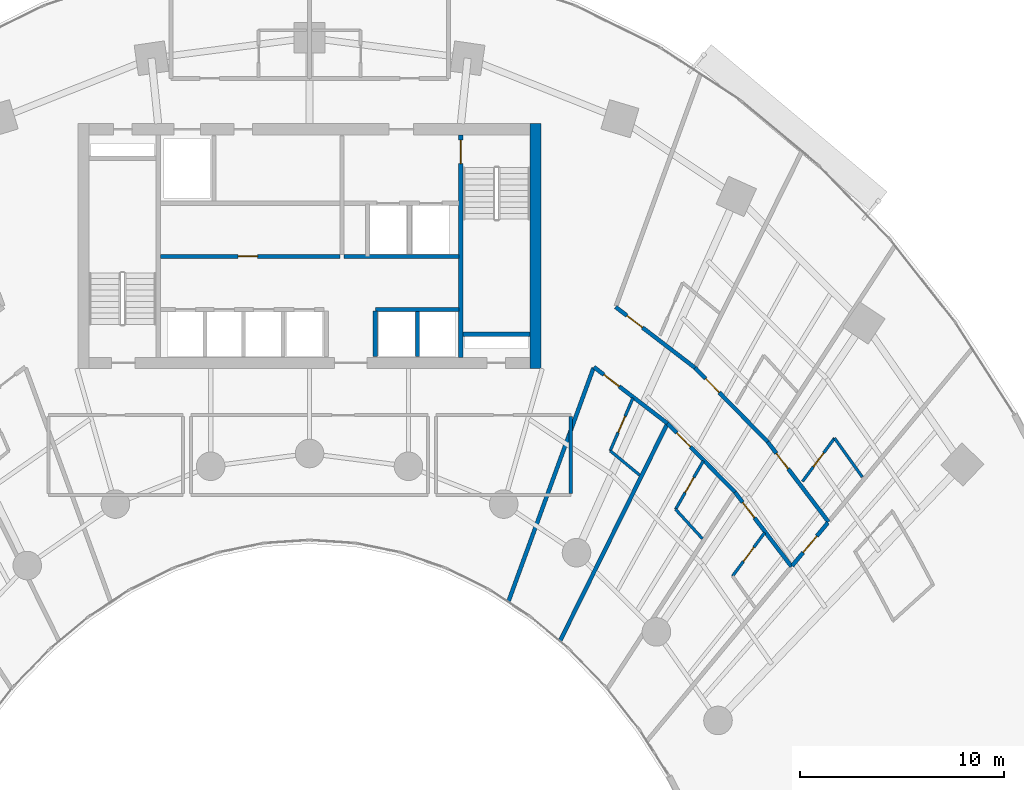
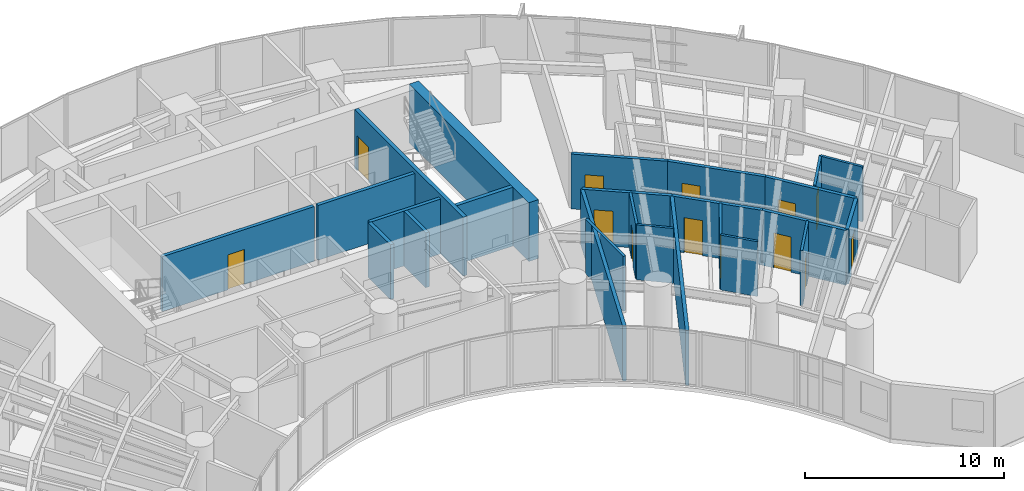
# One storey, part 13 of 18: 25 walls, 13 doors, 13 openings.
"""IFC4 building model written with IfcOpenShell, lengths in metres."""

from ifc_helpers import new_model, si_unit, direction, frame, frame_2d, origin, place, context, subcontext, project, spatial, rectangle, extrude, source, transform, mapped, material, layer, layer_set, type_object, type_shapes, element, fill, save


model = new_model("IFC4")

# Units and contexts
model_context = context("Model", 3, precision=1e-05, world=origin(), true_north=direction((0.0, 1.0)))
body_context = subcontext(model_context, "Body", "Model", "MODEL_VIEW")
ifc_project = project(units=[si_unit("LENGTHUNIT", "METRE"), si_unit("AREAUNIT", "SQUARE_METRE"), si_unit("VOLUMEUNIT", "CUBIC_METRE"), si_unit("PLANEANGLEUNIT", "RADIAN"), si_unit("MASSUNIT", "GRAM", prefix="KILO")], contexts=[model_context])

# Site, building, storey
site_placement = place(None, origin())
site = spatial("IfcSite", under=ifc_project, at=site_placement, CompositionType="ELEMENT")
building_placement = place(site_placement, origin())
building = spatial("IfcBuilding", under=site, at=building_placement, Name="Breltana Convention Tower", CompositionType="ELEMENT")
storey_placement = place(building_placement, frame((0.0, 0.0, 35.39990234375)))
storey = spatial("IfcBuildingStorey", under=building, at=storey_placement, Name="L06", CompositionType="ELEMENT", Elevation=35.39990234375)

# Walls
ifc_material_1 = material(Name="Concrete C60/75", Category="concrete")
ifc_layer_1 = layer(ifc_material_1, 0.550048828125, Name="Concrete C60/75")
ifc_layer_set_1 = layer_set([ifc_layer_1], Name="Concrete C60/75")
wall_type_1 = type_object("IfcWallType", Name="SW-CORE-550", PredefinedType="SHEAR", material=ifc_layer_set_1)
shared_shape_1 = source(origin(), body_context, "Body", "SweptSolid", [
    extrude(rectangle(XDim=12.0, YDim=0.550048828125, at=frame_2d((6.0, 0.0))), origin(), (0.0, 0.0, 1.0), 3.60009765625),
])
wall_1_placement = place(storey_placement, frame((59.074951171875, 60.199951171875, 0.0), z_axis=(0.0, 0.0, 1.0), x_axis=(0.0, 1.0, 0.0)))
element("IfcWall", 1, at=wall_1_placement, inside=storey, type_object=wall_type_1, Name="L06 East Core Shear Wall", PredefinedType="SHEAR", context=body_context, shape_type="MappedRepresentation", body=[
    mapped(shared_shape_1, transform((0.0, 0.0, 0.0), scale=1.0)),
])
ifc_material_2 = material(Name="Concrete C50/60", Category="concrete")
ifc_layer_2 = layer(ifc_material_2, 0.39990234375, Name="Concrete C50/60")
ifc_layer_set_2 = layer_set([ifc_layer_2], Name="Concrete C50/60")
wall_type_2 = type_object("IfcWallType", Name="SW-CORE-400", PredefinedType="SHEAR", material=ifc_layer_set_2)
shared_shape_2 = source(origin(), body_context, "Body", "SweptSolid", [
    extrude(rectangle(XDim=3.27001953125, YDim=0.219970703125, at=frame_2d((1.635009765625, 0.0))), origin(), (0.0, 0.0, 1.0), 3.60009765625),
])
wall_2_placement = place(storey_placement, frame((55.530029296875, 61.889892578125, 0.0), z_axis=(0.0, 0.0, 1.0), x_axis=(1.0, 0.0, 0.0)))
element("IfcWall", 2, at=wall_2_placement, inside=storey, type_object=wall_type_2, Name="L06 ST-2 Stairwell South Bearing Wall", PredefinedType="SHEAR", context=body_context, shape_type="MappedRepresentation", body=[
    mapped(shared_shape_2, transform((0.0, 0.0, 0.0), scale=1.0)),
])

# Wall, opening, door
shared_shape_3 = source(origin(), body_context, "Body", "SweptSolid", [
    extrude(rectangle(XDim=10.89990234375, YDim=0.219970703125, at=frame_2d((5.449951171875, 0.0))), origin(), (0.0, 0.0, 1.0), 3.60009765625),
])
wall_3_placement = place(storey_placement, frame((55.419921875, 60.75, 0.0), z_axis=(0.0, 0.0, 1.0), x_axis=(0.0, 1.0, 0.0)))
wall_3 = element("IfcWall", 3, at=wall_3_placement, inside=storey, type_object=wall_type_2, Name="L06 Core East Stair Spine Wall", PredefinedType="SHEAR", context=body_context, shape_type="MappedRepresentation", body=[
    mapped(shared_shape_3, transform((0.0, 0.0, 0.0), scale=1.0)),
])
opening_1_placement = place(wall_3_placement, frame((9.4951171875, 0.0, 0.0)))
opening_1 = element("IfcOpeningElement", 4, at=opening_1_placement, cuts=wall_3, Name="Opening D-11", PredefinedType="OPENING", context=body_context, shape_type="SweptSolid", body=[
    extrude(rectangle(XDim=1.14990234375, YDim=2.14990234375, at=frame_2d((0.574951171875, 1.074951171875))), frame((0.0, 0.1201171875, 0.0), z_axis=(0.0, -1.0, 0.0), x_axis=(1.0, 0.0, 0.0)), (0.0, 0.0, 1.0), 0.239990234375),
])
ifc_material_3 = material(Name="Steel Stair Exit Door", Category="steel")
door_type_1 = type_object("IfcDoorType", Name="DR-FD120-1150", OperationType="NOTDEFINED", PredefinedType="DOOR", material=ifc_material_3)
shared_shape_4 = source(origin(), body_context, "Body", "SweptSolid", [
    extrude(rectangle(XDim=1.14990234375, YDim=2.14990234375, at=frame_2d((0.574951171875, 1.074951171875))), frame((0.0, 0.02490234375, 0.0), z_axis=(0.0, -1.0, 0.0), x_axis=(1.0, 0.0, 0.0)), (0.0, 0.0, 1.0), 0.050048828125),
])
type_shapes(door_type_1, [shared_shape_4])
door_1_placement = place(opening_1_placement, origin())
door_1 = element("IfcDoor", 5, at=door_1_placement, inside=storey, type_object=door_type_1, Name="L06 interior door D-L06-ST2", OperationType="SINGLE_SWING_LEFT", OverallHeight=2.14990234375, OverallWidth=1.14990234375, PredefinedType="DOOR", context=body_context, shape_type="MappedRepresentation", body=[
    mapped(shared_shape_4, transform((0.0, 0.0, 0.0), scale=1.0)),
])
fill(opening_1, door_1)

# Walls
ifc_material_4 = material(Name="Autoclaved Aerated Concrete Block", Category="concrete")
ifc_layer_3 = layer(ifc_material_4, 0.199951171875, Name="Autoclaved Aerated Concrete Block")
ifc_layer_set_3 = layer_set([ifc_layer_3], Name="Autoclaved Aerated Concrete Block")
wall_type_3 = type_object("IfcWallType", Name="WL-SHAFT-200", PredefinedType="SOLIDWALL", material=ifc_layer_set_3)
shared_shape_5 = source(origin(), body_context, "Body", "SweptSolid", [
    extrude(rectangle(XDim=2.239990234375, YDim=0.199951171875, at=frame_2d((1.1201171875, 0.0))), origin(), (0.0, 0.0, 1.0), 3.360107421875),
])
wall_4_placement = place(storey_placement, frame((51.219970703125, 60.780029296875, 0.0), z_axis=(0.0, 0.0, 1.0), x_axis=(0.0, 1.0, 0.0)))
element("IfcWall", 6, at=wall_4_placement, inside=storey, type_object=wall_type_3, Name="L06 interior partition W-L06-PORT-E", PredefinedType="SOLIDWALL", context=body_context, shape_type="MappedRepresentation", body=[
    mapped(shared_shape_5, transform((0.0, 0.0, 0.0), scale=1.0)),
])
shared_shape_6 = source(origin(), body_context, "Body", "SweptSolid", [
    extrude(rectangle(XDim=5.6201171875, YDim=0.199951171875, at=frame_2d((2.81005859375, 0.0))), origin(), (0.0, 0.0, 1.0), 3.360107421875),
])
wall_5_placement = place(storey_placement, frame((49.699951171875, 65.679931640625, 0.0), z_axis=(0.0, 0.0, 1.0), x_axis=(1.0, 0.0, 0.0)))
element("IfcWall", 7, at=wall_5_placement, inside=storey, type_object=wall_type_3, Name="L06 interior partition W-L06-FL-S", PredefinedType="SOLIDWALL", context=body_context, shape_type="MappedRepresentation", body=[
    mapped(shared_shape_6, transform((0.0, 0.0, 0.0), scale=1.0)),
])

# Wall, opening, door
shared_shape_7 = source(origin(), body_context, "Body", "SweptSolid", [
    extrude(rectangle(XDim=8.800048828125, YDim=0.199951171875, at=frame_2d((4.39990234375, 0.0))), origin(), (0.0, 0.0, 1.0), 3.360107421875),
])
wall_6_placement = place(storey_placement, frame((40.699951171875, 65.699951171875, 0.0), z_axis=(0.0, 0.0, 1.0), x_axis=(1.0, 0.0, 0.0)))
wall_6 = element("IfcWall", 8, at=wall_6_placement, inside=storey, type_object=wall_type_3, Name="L06 interior partition W-L06-SH-M-FRONT", PredefinedType="SOLIDWALL", context=body_context, shape_type="MappedRepresentation", body=[
    mapped(shared_shape_7, transform((0.0, 0.0, 0.0), scale=1.0)),
])
opening_2_placement = place(wall_6_placement, frame((3.800048828125, 0.0, 0.0)))
opening_2 = element("IfcOpeningElement", 9, at=opening_2_placement, cuts=wall_6, Name="Opening D-14", PredefinedType="OPENING", context=body_context, shape_type="SweptSolid", body=[
    extrude(rectangle(XDim=0.949951171875, YDim=2.14990234375, at=frame_2d((0.47509765625, 1.074951171875))), frame((0.0, 0.10986328125, 0.0), z_axis=(0.0, -1.0, 0.0), x_axis=(1.0, 0.0, 0.0)), (0.0, 0.0, 1.0), 0.219970703125),
])
ifc_material_5 = material(Name="Timber Solid-Core Fire Door", Category="wood")
door_type_2 = type_object("IfcDoorType", Name="DR-FD60-950", OperationType="NOTDEFINED", PredefinedType="DOOR", material=ifc_material_5)
shared_shape_8 = source(origin(), body_context, "Body", "SweptSolid", [
    extrude(rectangle(XDim=0.949951171875, YDim=2.14990234375, at=frame_2d((0.47509765625, 1.074951171875))), frame((0.0, 0.02490234375, 0.0), z_axis=(0.0, -1.0, 0.0), x_axis=(1.0, 0.0, 0.0)), (0.0, 0.0, 1.0), 0.050048828125),
])
type_shapes(door_type_2, [shared_shape_8])
door_2_placement = place(opening_2_placement, origin())
door_2 = element("IfcDoor", 10, at=door_2_placement, inside=storey, type_object=door_type_2, Name="L06 interior door D-L06-LV7-B2A", OperationType="SINGLE_SWING_LEFT", OverallHeight=2.14990234375, OverallWidth=0.949951171875, PredefinedType="DOOR", context=body_context, shape_type="MappedRepresentation", body=[
    mapped(shared_shape_8, transform((0.0, 0.0, 0.0), scale=1.0)),
])
fill(opening_2, door_2)

# Walls
shared_shape_9 = source(origin(), body_context, "Body", "SweptSolid", [
    extrude(rectangle(XDim=4.10009765625, YDim=0.199951171875, at=frame_2d((2.050048828125, 0.0))), origin(), (0.0, 0.0, 1.0), 3.360107421875),
])
wall_7_placement = place(storey_placement, frame((51.219970703125, 63.10009765625, 0.0), z_axis=(0.0, 0.0, 1.0), x_axis=(1.0, 0.0, 0.0)))
element("IfcWall", 11, at=wall_7_placement, inside=storey, type_object=wall_type_3, Name="L06 interior partition W-L06-SH-X-FRONT", PredefinedType="SOLIDWALL", context=body_context, shape_type="MappedRepresentation", body=[
    mapped(shared_shape_9, transform((0.0, 0.0, 0.0), scale=1.0)),
])
shared_shape_10 = source(origin(), body_context, "Body", "SweptSolid", [
    extrude(rectangle(XDim=2.199951171875, YDim=0.199951171875, at=frame_2d((1.10009765625, 0.0))), origin(), (0.0, 0.0, 1.0), 3.360107421875),
])
wall_8_placement = place(storey_placement, frame((53.280029296875, 60.800048828125, 0.0), z_axis=(0.0, 0.0, 1.0), x_axis=(0.0, 1.0, 0.0)))
element("IfcWall", 12, at=wall_8_placement, inside=storey, type_object=wall_type_3, Name="L06 interior partition W-L06-SH-X-DIV", PredefinedType="SOLIDWALL", context=body_context, shape_type="MappedRepresentation", body=[
    mapped(shared_shape_10, transform((0.0, 0.0, 0.0), scale=1.0)),
])
ifc_material_6 = material(Name="Gypsum Acoustic Drywall Partition")
ifc_layer_4 = layer(ifc_material_6, 0.14990234375, Name="Gypsum Acoustic Drywall Partition")
ifc_layer_set_4 = layer_set([ifc_layer_4], Name="Gypsum Acoustic Drywall Partition")
wall_type_4 = type_object("IfcWallType", Name="WL-PART-150", PredefinedType="PARTITIONING", material=ifc_layer_set_4)
shared_shape_11 = source(origin(), body_context, "Body", "SweptSolid", [
    extrude(rectangle(XDim=3.78515625, YDim=0.14990234375, at=frame_2d((1.892578125, 0.0))), origin(), (0.0, 0.0, 1.0), 3.360107421875),
])
wall_9_placement = place(storey_placement, frame((60.800048828125, 54.0673828125, 0.0), z_axis=(0.0, 0.0, 1.0), x_axis=(0.0, 1.0, 0.0)))
element("IfcWall", 13, at=wall_9_placement, inside=storey, type_object=wall_type_4, Name="L06 interior partition W-L06-HMT-E", PredefinedType="PARTITIONING", context=body_context, shape_type="MappedRepresentation", body=[
    mapped(shared_shape_11, transform((0.0, 0.0, 0.0), scale=1.0)),
])

# Wall, opening, door
ifc_material_7 = material(Name="Gypsum Acoustic Hotel Wall")
ifc_layer_5 = layer(ifc_material_7, 0.195068359375, Name="Gypsum Acoustic Hotel Wall")
ifc_layer_set_5 = layer_set([ifc_layer_5], Name="Gypsum Acoustic Hotel Wall")
wall_type_5 = type_object("IfcWallType", Name="WL-HOTEL-200", PredefinedType="PARTITIONING", material=ifc_layer_set_5)
shared_shape_12 = source(origin(), body_context, "Body", "SweptSolid", [
    extrude(rectangle(XDim=4.927734375, YDim=0.195068359375, at=frame_2d((2.4638671875, 0.0))), origin(), (0.0, 0.0, 1.0), 3.360107421875),
])
wall_10_placement = place(storey_placement, frame((70.4501953125, 56.607177734375, 0.0), z_axis=(0.0, 0.0, 1.0), x_axis=(0.604793043708, -0.796382680803, 0.0)))
wall_10 = element("IfcWall", 14, at=wall_10_placement, inside=storey, type_object=wall_type_5, Name="L06 interior partition W-L06-HK11-COR", PredefinedType="PARTITIONING", context=body_context, shape_type="MappedRepresentation", body=[
    mapped(shared_shape_12, transform((0.0, 0.0, 0.0), scale=1.0)),
])
opening_3_placement = place(wall_10_placement, frame((0.70751953125, 0.0, 0.0)))
opening_3 = element("IfcOpeningElement", 15, at=opening_3_placement, cuts=wall_10, Name="Opening D-14", PredefinedType="OPENING", context=body_context, shape_type="SweptSolid", body=[
    extrude(rectangle(XDim=0.949951171875, YDim=2.14990234375, at=frame_2d((0.47509765625, 1.074951171875))), frame((0.0, 0.107421875, 0.0), z_axis=(0.0, -1.0, 0.0), x_axis=(1.0, 0.0, 0.0)), (0.0, 0.0, 1.0), 0.215087890625),
])
door_3_placement = place(opening_3_placement, origin())
door_3 = element("IfcDoor", 16, at=door_3_placement, inside=storey, type_object=door_type_2, Name="L06 interior door D-L06-HK11", OperationType="SINGLE_SWING_LEFT", OverallHeight=2.14990234375, OverallWidth=0.949951171875, PredefinedType="DOOR", context=body_context, shape_type="MappedRepresentation", body=[
    mapped(shared_shape_8, transform((0.0, 0.0, 0.0), scale=1.0)),
])
fill(opening_3, door_3)

# Wall
ifc_material_8 = material(Name="Moisture-Resistant En-Suite Partition")
ifc_layer_6 = layer(ifc_material_8, 0.139892578125, Name="Moisture-Resistant En-Suite Partition")
ifc_layer_set_6 = layer_set([ifc_layer_6], Name="Moisture-Resistant En-Suite Partition")
wall_type_6 = type_object("IfcWallType", Name="WL-WET-150", PredefinedType="PARTITIONING", material=ifc_layer_set_6)
shared_shape_13 = source(origin(), body_context, "Body", "SweptSolid", [
    extrude(rectangle(XDim=2.33740234375, YDim=0.139892578125, at=frame_2d((1.168701171875, 0.0))), origin(), (0.0, 0.0, 1.0), 3.360107421875),
])
wall_11_placement = place(storey_placement, frame((73.727294921875, 56.788818359375, 0.0), z_axis=(0.0, 0.0, 1.0), x_axis=(0.580862665959, -0.814001574504, 0.0)))
element("IfcWall", 17, at=wall_11_placement, inside=storey, type_object=wall_type_6, Name="L06 interior partition W-L06-HK11E-BK", PredefinedType="PARTITIONING", context=body_context, shape_type="MappedRepresentation", body=[
    mapped(shared_shape_13, transform((0.0, 0.0, 0.0), scale=1.0)),
])

# Wall, opening, door
shared_shape_14 = source(origin(), body_context, "Body", "SweptSolid", [
    extrude(rectangle(XDim=2.639892578125, YDim=0.139892578125, at=frame_2d((1.31982421875, 0.0))), origin(), (0.0, 0.0, 1.0), 3.360107421875),
])
wall_12_placement = place(storey_placement, frame((72.157470703125, 54.666259765625, 0.0), z_axis=(0.0, 0.0, 1.0), x_axis=(0.594630255283, 0.803999290735, 0.0)))
wall_12 = element("IfcWall", 18, at=wall_12_placement, inside=storey, type_object=wall_type_6, Name="L06 interior partition W-L06-HK11E-SD", PredefinedType="PARTITIONING", context=body_context, shape_type="MappedRepresentation", body=[
    mapped(shared_shape_14, transform((0.0, 0.0, 0.0), scale=1.0)),
])
opening_4_placement = place(wall_12_placement, frame((0.89501953125, 0.0, 0.0)))
opening_4 = element("IfcOpeningElement", 19, at=opening_4_placement, cuts=wall_12, Name="Opening D-21", PredefinedType="OPENING", context=body_context, shape_type="SweptSolid", body=[
    extrude(rectangle(XDim=0.85009765625, YDim=2.050048828125, at=frame_2d((0.425048828125, 1.02490234375))), frame((0.0, 0.080078125, 0.0), z_axis=(0.0, -1.0, 0.0), x_axis=(1.0, 0.0, 0.0)), (0.0, 0.0, 1.0), 0.159912109375),
])
ifc_material_9 = material(Name="Timber Moisture-Resistant En-Suite Door", Category="wood")
door_type_3 = type_object("IfcDoorType", Name="DR-WET-850", OperationType="NOTDEFINED", PredefinedType="DOOR", material=ifc_material_9)
shared_shape_15 = source(origin(), body_context, "Body", "SweptSolid", [
    extrude(rectangle(XDim=0.85009765625, YDim=2.050048828125, at=frame_2d((0.425048828125, 1.02490234375))), frame((0.0, 0.02490234375, 0.0), z_axis=(0.0, -1.0, 0.0), x_axis=(1.0, 0.0, 0.0)), (0.0, 0.0, 1.0), 0.050048828125),
])
type_shapes(door_type_3, [shared_shape_15])
door_4_placement = place(opening_4_placement, origin())
door_4 = element("IfcDoor", 20, at=door_4_placement, inside=storey, type_object=door_type_3, Name="L06 interior door D-L06-HK11E", OperationType="SINGLE_SWING_RIGHT", OverallHeight=2.050048828125, OverallWidth=0.85009765625, PredefinedType="DOOR", context=body_context, shape_type="MappedRepresentation", body=[
    mapped(shared_shape_15, transform((0.0, 0.0, 0.0), scale=1.0)),
])
fill(opening_4, door_4)

wall_13_placement = place(storey_placement, frame((68.7294921875, 50.031005859375, 0.0), z_axis=(0.0, 0.0, 1.0), x_axis=(0.594674469522, 0.803966588422, 0.0)))
wall_13 = element("IfcWall", 21, at=wall_13_placement, inside=storey, type_object=wall_type_6, Name="L06 interior partition W-L06-HK12E-SD", PredefinedType="PARTITIONING", context=body_context, shape_type="MappedRepresentation", body=[
    mapped(shared_shape_14, transform((0.0, 0.0, 0.0), scale=1.0)),
])
opening_5_placement = place(wall_13_placement, frame((0.89501953125, 0.0, 0.0)))
opening_5 = element("IfcOpeningElement", 22, at=opening_5_placement, cuts=wall_13, Name="Opening D-21", PredefinedType="OPENING", context=body_context, shape_type="SweptSolid", body=[
    extrude(rectangle(XDim=0.85009765625, YDim=2.050048828125, at=frame_2d((0.425048828125, 1.02490234375))), frame((0.0, 0.080078125, 0.0), z_axis=(0.0, -1.0, 0.0), x_axis=(1.0, 0.0, 0.0)), (0.0, 0.0, 1.0), 0.159912109375),
])
door_5_placement = place(opening_5_placement, origin())
door_5 = element("IfcDoor", 23, at=door_5_placement, inside=storey, type_object=door_type_3, Name="L06 interior door D-L06-HK12E", OperationType="SINGLE_SWING_RIGHT", OverallHeight=2.050048828125, OverallWidth=0.85009765625, PredefinedType="DOOR", context=body_context, shape_type="MappedRepresentation", body=[
    mapped(shared_shape_15, transform((0.0, 0.0, 0.0), scale=1.0)),
])
fill(opening_5, door_5)

shared_shape_16 = source(origin(), body_context, "Body", "SweptSolid", [
    extrude(rectangle(XDim=4.576171875, YDim=0.195068359375, at=frame_2d((2.2880859375, 0.0))), origin(), (0.0, 0.0, 1.0), 3.360107421875),
])
wall_14_placement = place(storey_placement, frame((68.849609375, 54.139404296875, 0.0), z_axis=(0.0, 0.0, 1.0), x_axis=(0.604795096156, -0.796381122118, 0.0)))
wall_14 = element("IfcWall", 24, at=wall_14_placement, inside=storey, type_object=wall_type_5, Name="L06 interior partition W-L06-HK12-COR", PredefinedType="PARTITIONING", context=body_context, shape_type="MappedRepresentation", body=[
    mapped(shared_shape_16, transform((0.0, 0.0, 0.0), scale=1.0)),
])
opening_6_placement = place(wall_14_placement, frame((0.623291015625, 0.0, 0.0)))
opening_6 = element("IfcOpeningElement", 25, at=opening_6_placement, cuts=wall_14, Name="Opening D-14", PredefinedType="OPENING", context=body_context, shape_type="SweptSolid", body=[
    extrude(rectangle(XDim=0.949951171875, YDim=2.14990234375, at=frame_2d((0.47509765625, 1.074951171875))), frame((0.0, 0.107421875, 0.0), z_axis=(0.0, -1.0, 0.0), x_axis=(1.0, 0.0, 0.0)), (0.0, 0.0, 1.0), 0.215087890625),
])
door_6_placement = place(opening_6_placement, origin())
door_6 = element("IfcDoor", 26, at=door_6_placement, inside=storey, type_object=door_type_2, Name="L06 interior door D-L06-HK12", OperationType="SINGLE_SWING_LEFT", OverallHeight=2.14990234375, OverallWidth=0.949951171875, PredefinedType="DOOR", context=body_context, shape_type="MappedRepresentation", body=[
    mapped(shared_shape_8, transform((0.0, 0.0, 0.0), scale=1.0)),
])
fill(opening_6, door_6)

shared_shape_17 = source(origin(), body_context, "Body", "SweptSolid", [
    extrude(rectangle(XDim=5.0869140625, YDim=0.195068359375, at=frame_2d((2.54345703125, 0.0))), origin(), (0.0, 0.0, 1.0), 3.360107421875),
])
wall_15_placement = place(storey_placement, frame((66.88720703125, 60.23779296875, 0.0), z_axis=(0.0, 0.0, 1.0), x_axis=(0.700428330775, -0.7137227427, 0.0)))
wall_15 = element("IfcWall", 27, at=wall_15_placement, inside=storey, type_object=wall_type_5, Name="L06 interior partition W-L06-HK09-COR", PredefinedType="PARTITIONING", context=body_context, shape_type="MappedRepresentation", body=[
    mapped(shared_shape_17, transform((0.0, 0.0, 0.0), scale=1.0)),
])
opening_7_placement = place(wall_15_placement, frame((0.745849609375, 0.0, 0.0)))
opening_7 = element("IfcOpeningElement", 28, at=opening_7_placement, cuts=wall_15, Name="Opening D-14", PredefinedType="OPENING", context=body_context, shape_type="SweptSolid", body=[
    extrude(rectangle(XDim=0.949951171875, YDim=2.14990234375, at=frame_2d((0.47509765625, 1.074951171875))), frame((0.0, 0.107421875, 0.0), z_axis=(0.0, -1.0, 0.0), x_axis=(1.0, 0.0, 0.0)), (0.0, 0.0, 1.0), 0.215087890625),
])
door_7_placement = place(opening_7_placement, origin())
door_7 = element("IfcDoor", 29, at=door_7_placement, inside=storey, type_object=door_type_2, Name="L06 interior door D-L06-HK09", OperationType="SINGLE_SWING_LEFT", OverallHeight=2.14990234375, OverallWidth=0.949951171875, PredefinedType="DOOR", context=body_context, shape_type="MappedRepresentation", body=[
    mapped(shared_shape_8, transform((0.0, 0.0, 0.0), scale=1.0)),
])
fill(opening_7, door_7)

shared_shape_18 = source(origin(), body_context, "Body", "SweptSolid", [
    extrude(rectangle(XDim=4.724365234375, YDim=0.195068359375, at=frame_2d((2.3623046875, 0.0))), origin(), (0.0, 0.0, 1.0), 3.360107421875),
])
wall_16_placement = place(storey_placement, frame((65.54052734375, 57.51123046875, 0.0), z_axis=(0.0, 0.0, 1.0), x_axis=(0.700435057457, -0.713716141253, 0.0)))
wall_16 = element("IfcWall", 30, at=wall_16_placement, inside=storey, type_object=wall_type_5, Name="L06 interior partition W-L06-HK10-COR", PredefinedType="PARTITIONING", context=body_context, shape_type="MappedRepresentation", body=[
    mapped(shared_shape_18, transform((0.0, 0.0, 0.0), scale=1.0)),
])
opening_8_placement = place(wall_16_placement, frame((0.65869140625, 0.0, 0.0)))
opening_8 = element("IfcOpeningElement", 31, at=opening_8_placement, cuts=wall_16, Name="Opening D-14", PredefinedType="OPENING", context=body_context, shape_type="SweptSolid", body=[
    extrude(rectangle(XDim=0.949951171875, YDim=2.14990234375, at=frame_2d((0.47509765625, 1.074951171875))), frame((0.0, 0.107421875, 0.0), z_axis=(0.0, -1.0, 0.0), x_axis=(1.0, 0.0, 0.0)), (0.0, 0.0, 1.0), 0.215087890625),
])
door_8_placement = place(opening_8_placement, origin())
door_8 = element("IfcDoor", 32, at=door_8_placement, inside=storey, type_object=door_type_2, Name="L06 interior door D-L06-HK10", OperationType="SINGLE_SWING_LEFT", OverallHeight=2.14990234375, OverallWidth=0.949951171875, PredefinedType="DOOR", context=body_context, shape_type="MappedRepresentation", body=[
    mapped(shared_shape_8, transform((0.0, 0.0, 0.0), scale=1.0)),
])
fill(opening_8, door_8)

# Wall
shared_shape_19 = source(origin(), body_context, "Body", "SweptSolid", [
    extrude(rectangle(XDim=1.946533203125, YDim=0.139892578125, at=frame_2d((0.97314453125, 0.0))), origin(), (0.0, 0.0, 1.0), 3.360107421875),
])
wall_17_placement = place(storey_placement, frame((65.936279296875, 53.2998046875, 0.0), z_axis=(0.0, 0.0, 1.0), x_axis=(0.675383794012, -0.737466426888, 0.0)))
element("IfcWall", 33, at=wall_17_placement, inside=storey, type_object=wall_type_6, Name="L06 interior partition W-L06-HK10E-BK", PredefinedType="PARTITIONING", context=body_context, shape_type="MappedRepresentation", body=[
    mapped(shared_shape_19, transform((0.0, 0.0, 0.0), scale=1.0)),
])

# Wall, opening, door
shared_shape_20 = source(origin(), body_context, "Body", "SweptSolid", [
    extrude(rectangle(XDim=2.7314453125, YDim=0.139892578125, at=frame_2d((1.36572265625, 0.0))), origin(), (0.0, 0.0, 1.0), 3.360107421875),
])
wall_18_placement = place(storey_placement, frame((65.936279296875, 53.2998046875, 0.0), z_axis=(0.0, 0.0, 1.0), x_axis=(0.497120404056, 0.867681568244, 0.0)))
wall_18 = element("IfcWall", 34, at=wall_18_placement, inside=storey, type_object=wall_type_6, Name="L06 interior partition W-L06-HK10E-SD", PredefinedType="PARTITIONING", context=body_context, shape_type="MappedRepresentation", body=[
    mapped(shared_shape_20, transform((0.0, 0.0, 0.0), scale=1.0)),
])
opening_9_placement = place(wall_18_placement, frame((0.94091796875, 0.0, 0.0)))
opening_9 = element("IfcOpeningElement", 35, at=opening_9_placement, cuts=wall_18, Name="Opening D-21", PredefinedType="OPENING", context=body_context, shape_type="SweptSolid", body=[
    extrude(rectangle(XDim=0.85009765625, YDim=2.050048828125, at=frame_2d((0.425048828125, 1.02490234375))), frame((0.0, 0.080078125, 0.0), z_axis=(0.0, -1.0, 0.0), x_axis=(1.0, 0.0, 0.0)), (0.0, 0.0, 1.0), 0.159912109375),
])
door_9_placement = place(opening_9_placement, origin())
door_9 = element("IfcDoor", 36, at=door_9_placement, inside=storey, type_object=door_type_3, Name="L06 interior door D-L06-HK10E", OperationType="SINGLE_SWING_RIGHT", OverallHeight=2.050048828125, OverallWidth=0.85009765625, PredefinedType="DOOR", context=body_context, shape_type="MappedRepresentation", body=[
    mapped(shared_shape_15, transform((0.0, 0.0, 0.0), scale=1.0)),
])
fill(opening_9, door_9)

shared_shape_21 = source(origin(), body_context, "Body", "SweptSolid", [
    extrude(rectangle(XDim=4.894775390625, YDim=0.195068359375, at=frame_2d((2.447265625, 0.0))), origin(), (0.0, 0.0, 1.0), 3.360107421875),
])
wall_19_placement = place(storey_placement, frame((63.001220703125, 63.214111328125, 0.0), z_axis=(0.0, 0.0, 1.0), x_axis=(0.793896075849, -0.608053468661, 0.0)))
wall_19 = element("IfcWall", 37, at=wall_19_placement, inside=storey, type_object=wall_type_5, Name="L06 interior partition W-L06-HK07-COR", PredefinedType="PARTITIONING", context=body_context, shape_type="MappedRepresentation", body=[
    mapped(shared_shape_21, transform((0.0, 0.0, 0.0), scale=1.0)),
])
opening_10_placement = place(wall_19_placement, frame((0.69970703125, 0.0, 0.0)))
opening_10 = element("IfcOpeningElement", 38, at=opening_10_placement, cuts=wall_19, Name="Opening D-14", PredefinedType="OPENING", context=body_context, shape_type="SweptSolid", body=[
    extrude(rectangle(XDim=0.949951171875, YDim=2.14990234375, at=frame_2d((0.47509765625, 1.074951171875))), frame((0.0, 0.107421875, 0.0), z_axis=(0.0, -1.0, 0.0), x_axis=(1.0, 0.0, 0.0)), (0.0, 0.0, 1.0), 0.215087890625),
])
door_10_placement = place(opening_10_placement, origin())
door_10 = element("IfcDoor", 39, at=door_10_placement, inside=storey, type_object=door_type_2, Name="L06 interior door D-L06-HK07", OperationType="SINGLE_SWING_LEFT", OverallHeight=2.14990234375, OverallWidth=0.949951171875, PredefinedType="DOOR", context=body_context, shape_type="MappedRepresentation", body=[
    mapped(shared_shape_8, transform((0.0, 0.0, 0.0), scale=1.0)),
])
fill(opening_10, door_10)

shared_shape_22 = source(origin(), body_context, "Body", "SweptSolid", [
    extrude(rectangle(XDim=4.546142578125, YDim=0.195068359375, at=frame_2d((2.27294921875, 0.0))), origin(), (0.0, 0.0, 1.0), 3.360107421875),
])
wall_20_placement = place(storey_placement, frame((61.931396484375, 60.275390625, 0.0), z_axis=(0.0, 0.0, 1.0), x_axis=(0.793907931297, -0.608037989457, 0.0)))
wall_20 = element("IfcWall", 40, at=wall_20_placement, inside=storey, type_object=wall_type_5, Name="L06 interior partition W-L06-HK08-COR", PredefinedType="PARTITIONING", context=body_context, shape_type="MappedRepresentation", body=[
    mapped(shared_shape_22, transform((0.0, 0.0, 0.0), scale=1.0)),
])
opening_11_placement = place(wall_20_placement, frame((0.6162109375, 0.0, 0.0)))
opening_11 = element("IfcOpeningElement", 41, at=opening_11_placement, cuts=wall_20, Name="Opening D-14", PredefinedType="OPENING", context=body_context, shape_type="SweptSolid", body=[
    extrude(rectangle(XDim=0.949951171875, YDim=2.14990234375, at=frame_2d((0.47509765625, 1.074951171875))), frame((0.0, 0.107421875, 0.0), z_axis=(0.0, -1.0, 0.0), x_axis=(1.0, 0.0, 0.0)), (0.0, 0.0, 1.0), 0.215087890625),
])
door_11_placement = place(opening_11_placement, origin())
door_11 = element("IfcDoor", 42, at=door_11_placement, inside=storey, type_object=door_type_2, Name="L06 interior door D-L06-HK08", OperationType="SINGLE_SWING_LEFT", OverallHeight=2.14990234375, OverallWidth=0.949951171875, PredefinedType="DOOR", context=body_context, shape_type="MappedRepresentation", body=[
    mapped(shared_shape_8, transform((0.0, 0.0, 0.0), scale=1.0)),
])
fill(opening_11, door_11)

# Walls
shared_shape_23 = source(origin(), body_context, "Body", "SweptSolid", [
    extrude(rectangle(XDim=12.1962890625, YDim=0.195068359375, at=frame_2d((6.09814453125, 0.0))), origin(), (0.0, 0.0, 1.0), 3.360107421875),
])
wall_21_placement = place(storey_placement, frame((57.742431640625, 48.766357421875, 0.0), z_axis=(0.0, 0.0, 1.0), x_axis=(0.342022711534, 0.939691686031, 0.0)))
element("IfcWall", 43, at=wall_21_placement, inside=storey, type_object=wall_type_5, Name="L06 interior partition W-L06-HK08-RA", PredefinedType="PARTITIONING", context=body_context, shape_type="MappedRepresentation", body=[
    mapped(shared_shape_23, transform((0.0, 0.0, 0.0), scale=1.0)),
])
shared_shape_24 = source(origin(), body_context, "Body", "SweptSolid", [
    extrude(rectangle(XDim=1.872802734375, YDim=0.139892578125, at=frame_2d((0.9365234375, 0.0))), origin(), (0.0, 0.0, 1.0), 3.360107421875),
])
wall_22_placement = place(storey_placement, frame((62.73388671875, 56.169189453125, 0.0), z_axis=(0.0, 0.0, 1.0), x_axis=(0.77069451688, -0.637204803537, 0.0)))
element("IfcWall", 44, at=wall_22_placement, inside=storey, type_object=wall_type_6, Name="L06 interior partition W-L06-HK08E-BK", PredefinedType="PARTITIONING", context=body_context, shape_type="MappedRepresentation", body=[
    mapped(shared_shape_24, transform((0.0, 0.0, 0.0), scale=1.0)),
])

# Wall, opening, door
shared_shape_25 = source(origin(), body_context, "Body", "SweptSolid", [
    extrude(rectangle(XDim=2.8173828125, YDim=0.139892578125, at=frame_2d((1.40869140625, 0.0))), origin(), (0.0, 0.0, 1.0), 3.360107421875),
])
wall_23_placement = place(storey_placement, frame((62.73388671875, 56.169189453125, 0.0), z_axis=(0.0, 0.0, 1.0), x_axis=(0.395999429727, 0.918250756415, 0.0)))
wall_23 = element("IfcWall", 45, at=wall_23_placement, inside=storey, type_object=wall_type_6, Name="L06 interior partition W-L06-HK08E-SD", PredefinedType="PARTITIONING", context=body_context, shape_type="MappedRepresentation", body=[
    mapped(shared_shape_25, transform((0.0, 0.0, 0.0), scale=1.0)),
])
opening_12_placement = place(wall_23_placement, frame((0.98388671875, 0.0, 0.0)))
opening_12 = element("IfcOpeningElement", 46, at=opening_12_placement, cuts=wall_23, Name="Opening D-21", PredefinedType="OPENING", context=body_context, shape_type="SweptSolid", body=[
    extrude(rectangle(XDim=0.85009765625, YDim=2.050048828125, at=frame_2d((0.425048828125, 1.02490234375))), frame((0.0, 0.080078125, 0.0), z_axis=(0.0, -1.0, 0.0), x_axis=(1.0, 0.0, 0.0)), (0.0, 0.0, 1.0), 0.159912109375),
])
door_12_placement = place(opening_12_placement, origin())
door_12 = element("IfcDoor", 47, at=door_12_placement, inside=storey, type_object=door_type_3, Name="L06 interior door D-L06-HK08E", OperationType="SINGLE_SWING_RIGHT", OverallHeight=2.050048828125, OverallWidth=0.85009765625, PredefinedType="DOOR", context=body_context, shape_type="MappedRepresentation", body=[
    mapped(shared_shape_15, transform((0.0, 0.0, 0.0), scale=1.0)),
])
fill(opening_12, door_12)

# Wall
shared_shape_26 = source(origin(), body_context, "Body", "SweptSolid", [
    extrude(rectangle(XDim=11.843505859375, YDim=0.195068359375, at=frame_2d((5.921875, 0.0))), origin(), (0.0, 0.0, 1.0), 3.360107421875),
])
wall_24_placement = place(storey_placement, frame((60.2734375, 46.847900390625, 0.0), z_axis=(0.0, 0.0, 1.0), x_axis=(0.442871152218, 0.896585267854, 0.0)))
element("IfcWall", 48, at=wall_24_placement, inside=storey, type_object=wall_type_5, Name="L06 interior partition W-L06-HK08-RB", PredefinedType="PARTITIONING", context=body_context, shape_type="MappedRepresentation", body=[
    mapped(shared_shape_26, transform((0.0, 0.0, 0.0), scale=1.0)),
])

# Wall, opening, door
shared_shape_27 = source(origin(), body_context, "Body", "SweptSolid", [
    extrude(rectangle(XDim=2.748291015625, YDim=0.195068359375, at=frame_2d((1.3740234375, 0.0))), origin(), (0.0, 0.0, 1.0), 3.360107421875),
])
wall_25_placement = place(storey_placement, frame((71.64697265625, 50.531005859375, 0.0), z_axis=(0.0, 0.0, 1.0), x_axis=(0.638111168284, 0.769944242729, 0.0)))
wall_25 = element("IfcWall", 49, at=wall_25_placement, inside=storey, type_object=wall_type_5, Name="L06 interior partition W-L06-CS-E-END", PredefinedType="PARTITIONING", context=body_context, shape_type="MappedRepresentation", body=[
    mapped(shared_shape_27, transform((0.0, 0.0, 0.0), scale=1.0)),
])
opening_13_placement = place(wall_25_placement, frame((0.84912109375, 0.0, 0.0)))
opening_13 = element("IfcOpeningElement", 50, at=opening_13_placement, cuts=wall_25, Name="Opening D-13", PredefinedType="OPENING", context=body_context, shape_type="SweptSolid", body=[
    extrude(rectangle(XDim=1.050048828125, YDim=2.14990234375, at=frame_2d((0.52490234375, 1.074951171875))), frame((0.0, 0.107421875, 0.0), z_axis=(0.0, -1.0, 0.0), x_axis=(1.0, 0.0, 0.0)), (0.0, 0.0, 1.0), 0.215087890625),
])
door_type_4 = type_object("IfcDoorType", Name="DR-FD60-1050", OperationType="NOTDEFINED", PredefinedType="DOOR", material=ifc_material_5)
shared_shape_28 = source(origin(), body_context, "Body", "SweptSolid", [
    extrude(rectangle(XDim=1.050048828125, YDim=2.14990234375, at=frame_2d((0.52490234375, 1.074951171875))), frame((0.0, 0.02490234375, 0.0), z_axis=(0.0, -1.0, 0.0), x_axis=(1.0, 0.0, 0.0)), (0.0, 0.0, 1.0), 0.050048828125),
])
type_shapes(door_type_4, [shared_shape_28])
door_13_placement = place(opening_13_placement, origin())
door_13 = element("IfcDoor", 51, at=door_13_placement, inside=storey, type_object=door_type_4, Name="L06 interior door D-L06-CS-E", OperationType="SINGLE_SWING_LEFT", OverallHeight=2.14990234375, OverallWidth=1.050048828125, PredefinedType="DOOR", context=body_context, shape_type="MappedRepresentation", body=[
    mapped(shared_shape_28, transform((0.0, 0.0, 0.0), scale=1.0)),
])
fill(opening_13, door_13)

save(model, "model.ifc")
